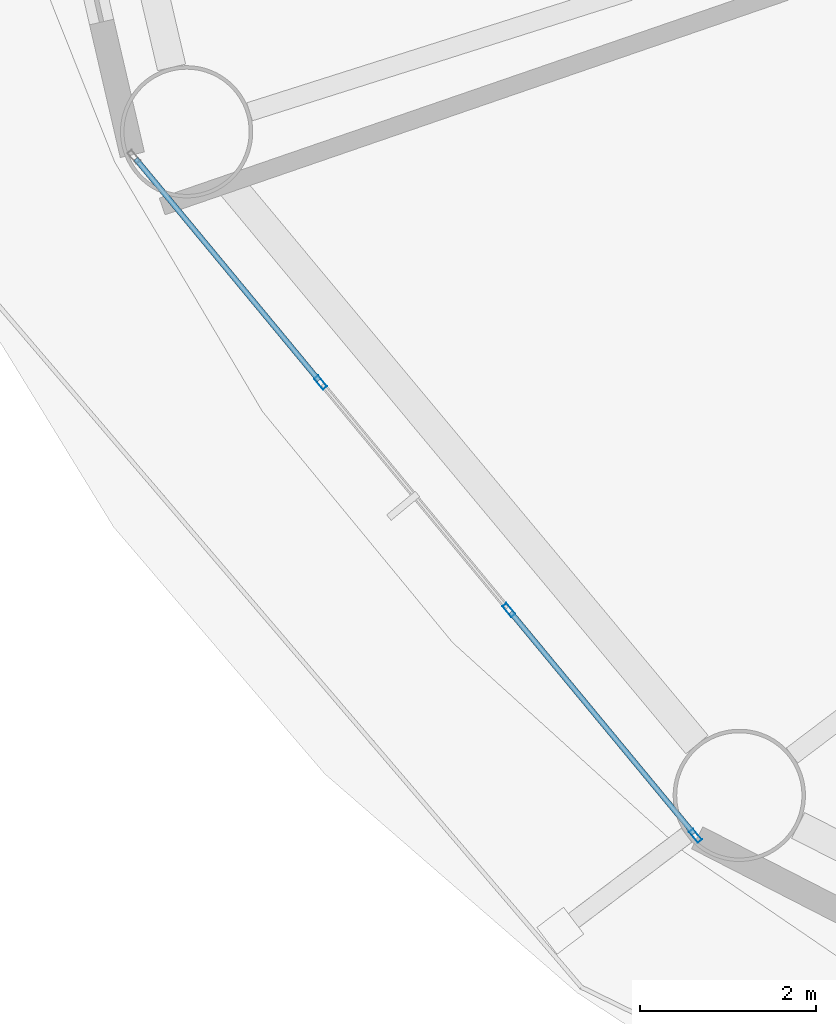
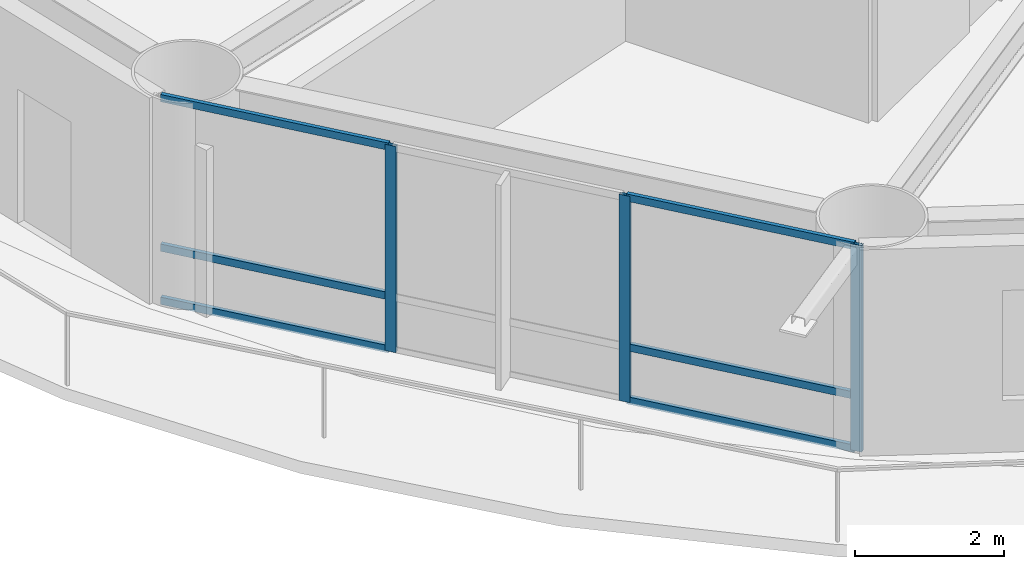
# One storey, part 2 of 26: 9 members, 1 element without a shape of its own.
"""IFC4 building model written with IfcOpenShell, lengths in metres."""

from ifc_helpers import new_model, si_unit, direction, frame, origin, origin_2d, place, context, subcontext, project, spatial, hollow_rectangle, extrude, material, layer, layer_set, material_profile, profile_set, type_object, element, aggregate, save


model = new_model("IFC4")

# Units and contexts
model_context = context("Model", 3, precision=1e-05, world=origin(), true_north=direction((0.0, 1.0)))
body_context = subcontext(model_context, "Body", "Model", "MODEL_VIEW")
ifc_project = project(units=[si_unit("LENGTHUNIT", "METRE"), si_unit("AREAUNIT", "SQUARE_METRE"), si_unit("VOLUMEUNIT", "CUBIC_METRE"), si_unit("PLANEANGLEUNIT", "RADIAN"), si_unit("MASSUNIT", "GRAM", prefix="KILO")], contexts=[model_context])

# Site, building, storey
site_placement = place(None, origin())
site = spatial("IfcSite", under=ifc_project, at=site_placement, CompositionType="ELEMENT")
building_placement = place(site_placement, origin())
building = spatial("IfcBuilding", under=site, at=building_placement, Name="Sarneth Arch Tower", CompositionType="ELEMENT")
storey_placement = place(building_placement, frame((0.0, 0.0, 71.39990234375)))
storey = spatial("IfcBuildingStorey", under=building, at=storey_placement, Name="L17", CompositionType="ELEMENT", Elevation=71.39990234375)

# Curtain wall, members
ifc_material_1 = material(Name="Anodised aluminium Type AA25 and solar-control low-e laminated IGU", Category="aluminium")
ifc_layer = layer(ifc_material_1, 0.159912109375)
ifc_layer_set = layer_set([ifc_layer], Name="Anodised aluminium Type AA25 and solar-control low-e laminated IGU")
curtain_wall_type = type_object("IfcCurtainWallType", Name="CW-HOTEL-LOW", PredefinedType="NOTDEFINED", material=ifc_layer_set)
curtain_wall_placement = place(storey_placement, origin())
curtain_wall = element("IfcCurtainWall", 1, at=curtain_wall_placement, inside=storey, type_object=curtain_wall_type, Name="L17 Unitised curtain wall facet 10", PredefinedType="NOTDEFINED")
ifc_material_2 = material(Name="Anodised Aluminium 6063-T6", Category="aluminium")
ifc_material_profile_1 = material_profile(ifc_material_2, hollow_rectangle(XDim=0.06005859375, YDim=0.159912109375, WallThickness=0.00390625, at=origin_2d()), Name="AL-MULL-160x60x4")
ifc_profile_set_1 = profile_set([ifc_material_profile_1], Name="Anodised Aluminium 6063-T6")
member_type_1 = type_object("IfcMemberType", Name="CW-MULLION", PredefinedType="MULLION", material=ifc_profile_set_1)
member_1_placement = place(storey_placement, frame((21.5546875, 30.279052734375, 0.0), z_axis=(0.0, 0.0, 1.0), x_axis=(0.770622960278, 0.637291340827, 0.0)))
member_1 = element("IfcMember", 2, at=member_1_placement, type_object=member_type_1, Name="CW-SYS-3 mullion 2", PredefinedType="MULLION", context=body_context, shape_type="SweptSolid", body=[
    extrude(hollow_rectangle(XDim=0.06005859375, YDim=0.159912109375, WallThickness=0.00390625, at=origin_2d()), origin(), (0.0, 0.0, 1.0), 3.380126953125),
])
member_2_placement = place(storey_placement, frame((23.690185546875, 27.69677734375, 0.0), z_axis=(0.0, 0.0, 1.0), x_axis=(0.770622960278, 0.637291340827, 0.0)))
member_2 = element("IfcMember", 3, at=member_2_placement, type_object=member_type_1, Name="CW-SYS-3 mullion 3", PredefinedType="MULLION", context=body_context, shape_type="SweptSolid", body=[
    extrude(hollow_rectangle(XDim=0.06005859375, YDim=0.159912109375, WallThickness=0.00390625, at=origin_2d()), origin(), (0.0, 0.0, 1.0), 3.380126953125),
])
member_3_placement = place(storey_placement, frame((25.806640625, 25.137451171875, 0.0), z_axis=(0.0, 0.0, 1.0), x_axis=(0.770622960278, 0.637291340827, 0.0)))
member_3 = element("IfcMember", 4, at=member_3_placement, type_object=member_type_1, Name="CW-SYS-3 mullion 4", PredefinedType="MULLION", context=body_context, shape_type="SweptSolid", body=[
    extrude(hollow_rectangle(XDim=0.06005859375, YDim=0.159912109375, WallThickness=0.00390625, at=origin_2d()), origin(), (0.0, 0.0, 1.0), 3.380126953125),
])
ifc_material_3 = material(Name="Anodised Aluminium 6063-T6", Category="aluminium")
ifc_material_profile_2 = material_profile(ifc_material_3, hollow_rectangle(XDim=0.06005859375, YDim=0.1201171875, WallThickness=0.00390625, at=origin_2d()), Name="AL-TRAN-120x60x4")
ifc_profile_set_2 = profile_set([ifc_material_profile_2], Name="Anodised Aluminium 6063-T6")
member_type_2 = type_object("IfcMemberType", Name="CW-TRANSOM", PredefinedType="USERDEFINED", material=ifc_profile_set_2)
member_4_placement = place(storey_placement, frame((19.457275390625, 32.815185546875, 0.030029296875), z_axis=(0.63733019572, -0.77059082633, 0.0), x_axis=(0.77059082633, 0.63733019572, 0.0)))
member_4 = element("IfcMember", 5, at=member_4_placement, type_object=member_type_2, Name="CW-SYS-3 transom 1.1", ObjectType="TRANSOM", PredefinedType="USERDEFINED", context=body_context, shape_type="SweptSolid", body=[
    extrude(hollow_rectangle(XDim=0.06005859375, YDim=0.1201171875, WallThickness=0.00390625, at=origin_2d()), origin(), (0.0, 0.0, 1.0), 3.260986328125),
])
member_5_placement = place(storey_placement, frame((19.457275390625, 32.815185546875, 0.900146484375), z_axis=(0.63733019572, -0.77059082633, 0.0), x_axis=(0.77059082633, 0.63733019572, 0.0)))
member_5 = element("IfcMember", 6, at=member_5_placement, type_object=member_type_2, Name="CW-SYS-3 transom 1.2", ObjectType="TRANSOM", PredefinedType="USERDEFINED", context=body_context, shape_type="SweptSolid", body=[
    extrude(hollow_rectangle(XDim=0.06005859375, YDim=0.1201171875, WallThickness=0.00390625, at=origin_2d()), origin(), (0.0, 0.0, 1.0), 3.260986328125),
])
member_6_placement = place(storey_placement, frame((19.457275390625, 32.815185546875, 3.35009765625), z_axis=(0.63733019572, -0.77059082633, 0.0), x_axis=(0.77059082633, 0.63733019572, 0.0)))
member_6 = element("IfcMember", 7, at=member_6_placement, type_object=member_type_2, Name="CW-SYS-3 transom 1.3", ObjectType="TRANSOM", PredefinedType="USERDEFINED", context=body_context, shape_type="SweptSolid", body=[
    extrude(hollow_rectangle(XDim=0.06005859375, YDim=0.1201171875, WallThickness=0.00390625, at=origin_2d()), origin(), (0.0, 0.0, 1.0), 3.260986328125),
])
member_7_placement = place(storey_placement, frame((23.70947265625, 27.673583984375, 0.030029296875), z_axis=(0.637285736625, -0.770627594817, 0.0), x_axis=(0.770627594817, 0.637285736625, 0.0)))
member_7 = element("IfcMember", 8, at=member_7_placement, type_object=member_type_2, Name="CW-SYS-3 transom 3.1", ObjectType="TRANSOM", PredefinedType="USERDEFINED", context=body_context, shape_type="SweptSolid", body=[
    extrude(hollow_rectangle(XDim=0.06005859375, YDim=0.1201171875, WallThickness=0.00390625, at=origin_2d()), origin(), (0.0, 0.0, 1.0), 3.260986328125),
])
member_8_placement = place(storey_placement, frame((23.70947265625, 27.673583984375, 0.900146484375), z_axis=(0.637285736625, -0.770627594817, 0.0), x_axis=(0.770627594817, 0.637285736625, 0.0)))
member_8 = element("IfcMember", 9, at=member_8_placement, type_object=member_type_2, Name="CW-SYS-3 transom 3.2", ObjectType="TRANSOM", PredefinedType="USERDEFINED", context=body_context, shape_type="SweptSolid", body=[
    extrude(hollow_rectangle(XDim=0.06005859375, YDim=0.1201171875, WallThickness=0.00390625, at=origin_2d()), origin(), (0.0, 0.0, 1.0), 3.260986328125),
])
member_9_placement = place(storey_placement, frame((23.70947265625, 27.673583984375, 3.35009765625), z_axis=(0.637285736625, -0.770627594817, 0.0), x_axis=(0.770627594817, 0.637285736625, 0.0)))
member_9 = element("IfcMember", 10, at=member_9_placement, type_object=member_type_2, Name="CW-SYS-3 transom 3.3", ObjectType="TRANSOM", PredefinedType="USERDEFINED", context=body_context, shape_type="SweptSolid", body=[
    extrude(hollow_rectangle(XDim=0.06005859375, YDim=0.1201171875, WallThickness=0.00390625, at=origin_2d()), origin(), (0.0, 0.0, 1.0), 3.260986328125),
])
aggregate(curtain_wall, [member_1, member_2, member_3, member_4, member_5, member_6, member_7, member_8, member_9])

save(model, "model.ifc")
